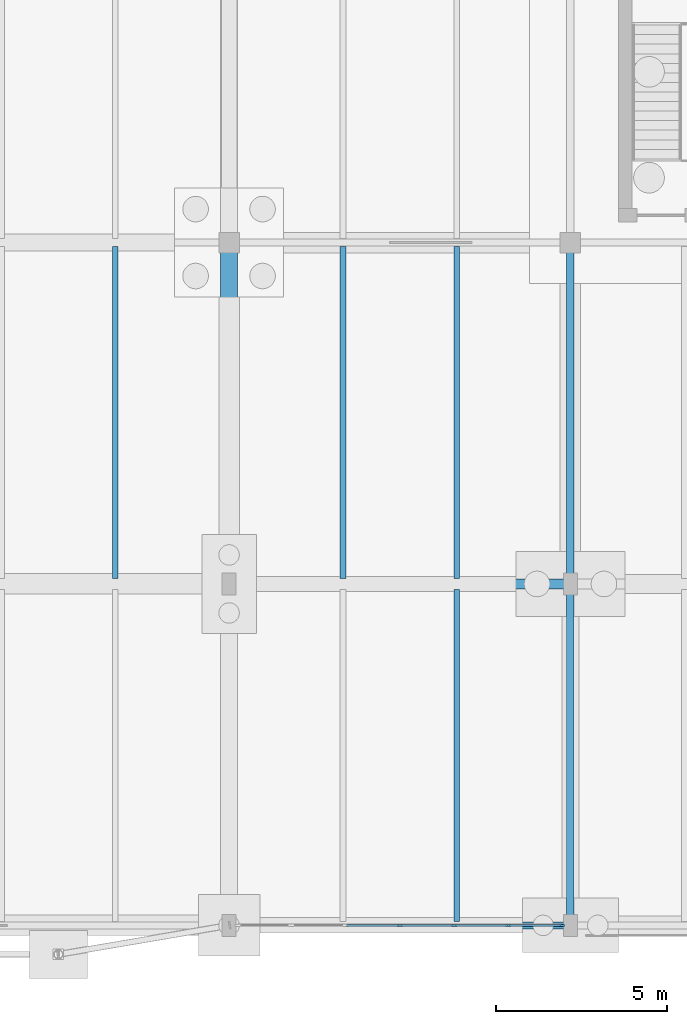
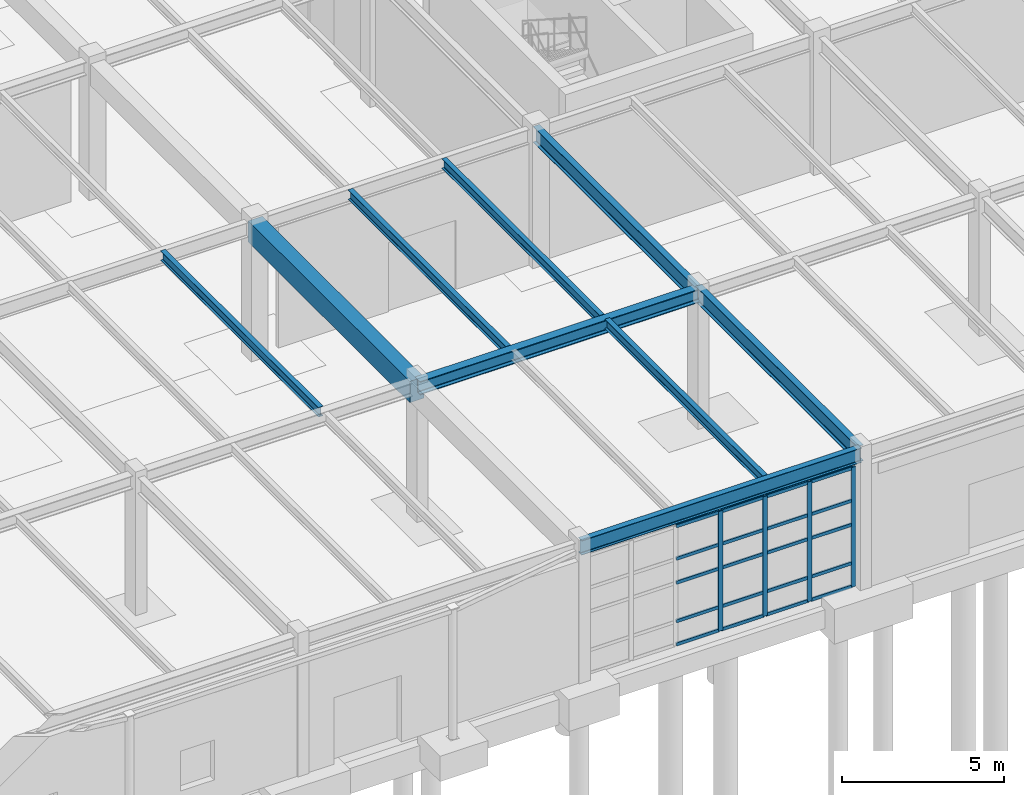
# One storey, part 64 of 145: 24 members, 9 beams, 1 element without a shape of its own.
"""IFC4 building model written with IfcOpenShell, lengths in metres."""

from ifc_helpers import new_model, si_unit, direction, frame, origin, origin_2d, place, context, subcontext, project, spatial, rectangle, i_section, extrude, material, layer, layer_set, material_profile, profile_set, type_object, element, aggregate, save


model = new_model("IFC4")

# Units and contexts
model_context = context("Model", 3, precision=1e-05, world=origin(), true_north=direction((0.0, 1.0)))
body_context = subcontext(model_context, "Body", "Model", "MODEL_VIEW")
ifc_project = project(units=[si_unit("LENGTHUNIT", "METRE"), si_unit("AREAUNIT", "SQUARE_METRE"), si_unit("VOLUMEUNIT", "CUBIC_METRE"), si_unit("PLANEANGLEUNIT", "RADIAN"), si_unit("MASSUNIT", "GRAM", prefix="KILO"), si_unit("THERMODYNAMICTEMPERATUREUNIT", "KELVIN"), si_unit("POWERUNIT", "WATT")], contexts=[model_context])

# Site, building, storey
site_placement = place(None, origin())
site = spatial("IfcSite", under=ifc_project, at=site_placement, CompositionType="ELEMENT")
building_placement = place(site_placement, origin())
building = spatial("IfcBuilding", under=site, at=building_placement, Name="Korenveer Ferry Terminal", CompositionType="ELEMENT")
storey_placement = place(building_placement, origin())
storey = spatial("IfcBuildingStorey", under=building, at=storey_placement, Name="L00", CompositionType="ELEMENT", Elevation=0.0)

# Curtain wall, members
ifc_material_1 = material(Name="Unitised bronze-and-glass curtain wall", Category="glass")
ifc_layer = layer(ifc_material_1, 0.159912109375)
ifc_layer_set = layer_set([ifc_layer], Name="Unitised bronze-and-glass curtain wall")
curtain_wall_type = type_object("IfcCurtainWallType", Name="ENV-CW-01", PredefinedType="USERDEFINED", material=ifc_layer_set)
curtain_wall_placement = place(storey_placement, frame((146.22998046875, 0.0, 0.0)))
curtain_wall = element("IfcCurtainWall", 1, at=curtain_wall_placement, inside=storey, type_object=curtain_wall_type, Name="Lancet curtain wall CWX-L00-X146-156-Y0-0", ObjectType="UNITISED CURTAIN WALL", PredefinedType="USERDEFINED")
ifc_material_2 = material(Name="Anodised bronze aluminium", Category="aluminium")
ifc_material_profile_1 = material_profile(ifc_material_2, rectangle(XDim=0.06005859375, YDim=0.159912109375, at=origin_2d()), Name="ALU 60x160")
ifc_profile_set_1 = profile_set([ifc_material_profile_1], Name="Anodised bronze aluminium")
member_type_1 = type_object("IfcMemberType", Name="ENV-CWM-60X160", PredefinedType="MULLION", material=ifc_profile_set_1)
member_1_placement = place(storey_placement, frame((151.0, 0.0, 0.0), z_axis=(0.0, 0.0, 1.0), x_axis=(0.0, 1.0, 0.0)))
member_1 = element("IfcMember", 2, at=member_1_placement, type_object=member_type_1, Name="CW-01 mullion 4", PredefinedType="MULLION", context=body_context, shape_type="SweptSolid", body=[
    extrude(rectangle(XDim=0.06005859375, YDim=0.159912109375, at=origin_2d()), origin(), (0.0, 0.0, 1.0), 4.5),
])
member_2_placement = place(storey_placement, frame((152.590087890625, 0.0, 0.0), z_axis=(0.0, 0.0, 1.0), x_axis=(0.0, 1.0, 0.0)))
member_2 = element("IfcMember", 3, at=member_2_placement, type_object=member_type_1, Name="CW-01 mullion 5", PredefinedType="MULLION", context=body_context, shape_type="SweptSolid", body=[
    extrude(rectangle(XDim=0.06005859375, YDim=0.159912109375, at=origin_2d()), origin(), (0.0, 0.0, 1.0), 4.5),
])
member_3_placement = place(storey_placement, frame((154.179931640625, 0.0, 0.0), z_axis=(0.0, 0.0, 1.0), x_axis=(0.0, 1.0, 0.0)))
member_3 = element("IfcMember", 4, at=member_3_placement, type_object=member_type_1, Name="CW-01 mullion 6", PredefinedType="MULLION", context=body_context, shape_type="SweptSolid", body=[
    extrude(rectangle(XDim=0.06005859375, YDim=0.159912109375, at=origin_2d()), origin(), (0.0, 0.0, 1.0), 4.5),
])
member_4_placement = place(storey_placement, frame((155.739990234375, 0.0, 0.0), z_axis=(0.0, 0.0, 1.0), x_axis=(0.0, 1.0, 0.0)))
member_4 = element("IfcMember", 5, at=member_4_placement, type_object=member_type_1, Name="CW-01 mullion 7", PredefinedType="MULLION", context=body_context, shape_type="SweptSolid", body=[
    extrude(rectangle(XDim=0.06005859375, YDim=0.159912109375, at=origin_2d()), origin(), (0.0, 0.0, 1.0), 4.5),
])
ifc_material_profile_2 = material_profile(ifc_material_2, rectangle(XDim=0.06005859375, YDim=0.1201171875, at=origin_2d()), Name="ALU 60x120")
ifc_profile_set_2 = profile_set([ifc_material_profile_2], Name="Anodised bronze aluminium")
member_type_2 = type_object("IfcMemberType", Name="ENV-CWT-60X120", PredefinedType="USERDEFINED", material=ifc_profile_set_2)
member_5_placement = place(storey_placement, frame((149.43994140625, 0.0, 0.030029296875), z_axis=(1.0, 0.0, 0.0), x_axis=(0.0, 1.0, 0.0)))
member_5 = element("IfcMember", 6, at=member_5_placement, type_object=member_type_2, Name="CW-01 transom 3.1", ObjectType="TRANSOM", PredefinedType="USERDEFINED", context=body_context, shape_type="SweptSolid", body=[
    extrude(rectangle(XDim=0.06005859375, YDim=0.1201171875, at=origin_2d()), origin(), (0.0, 0.0, 1.0), 1.530029296875),
])
member_6_placement = place(storey_placement, frame((149.43994140625, 0.0, 0.89990234375), z_axis=(1.0, 0.0, 0.0), x_axis=(0.0, 1.0, 0.0)))
member_6 = element("IfcMember", 7, at=member_6_placement, type_object=member_type_2, Name="CW-01 transom 3.2", ObjectType="TRANSOM", PredefinedType="USERDEFINED", context=body_context, shape_type="SweptSolid", body=[
    extrude(rectangle(XDim=0.06005859375, YDim=0.1201171875, at=origin_2d()), origin(), (0.0, 0.0, 1.0), 1.530029296875),
])
member_7_placement = place(storey_placement, frame((149.43994140625, 0.0, 2.35009765625), z_axis=(1.0, 0.0, 0.0), x_axis=(0.0, 1.0, 0.0)))
member_7 = element("IfcMember", 8, at=member_7_placement, type_object=member_type_2, Name="CW-01 transom 3.3", ObjectType="TRANSOM", PredefinedType="USERDEFINED", context=body_context, shape_type="SweptSolid", body=[
    extrude(rectangle(XDim=0.06005859375, YDim=0.1201171875, at=origin_2d()), origin(), (0.0, 0.0, 1.0), 1.530029296875),
])
member_8_placement = place(storey_placement, frame((149.43994140625, 0.0, 3.25), z_axis=(1.0, 0.0, 0.0), x_axis=(0.0, 1.0, 0.0)))
member_8 = element("IfcMember", 9, at=member_8_placement, type_object=member_type_2, Name="CW-01 transom 3.4", ObjectType="TRANSOM", PredefinedType="USERDEFINED", context=body_context, shape_type="SweptSolid", body=[
    extrude(rectangle(XDim=0.06005859375, YDim=0.1201171875, at=origin_2d()), origin(), (0.0, 0.0, 1.0), 1.530029296875),
])
member_9_placement = place(storey_placement, frame((149.43994140625, 0.0, 4.469970703125), z_axis=(1.0, 0.0, 0.0), x_axis=(0.0, 1.0, 0.0)))
member_9 = element("IfcMember", 10, at=member_9_placement, type_object=member_type_2, Name="CW-01 transom 3.5", ObjectType="TRANSOM", PredefinedType="USERDEFINED", context=body_context, shape_type="SweptSolid", body=[
    extrude(rectangle(XDim=0.06005859375, YDim=0.1201171875, at=origin_2d()), origin(), (0.0, 0.0, 1.0), 1.530029296875),
])
member_10_placement = place(storey_placement, frame((151.030029296875, 0.0, 0.030029296875), z_axis=(1.0, 0.0, 0.0), x_axis=(0.0, 1.0, 0.0)))
member_10 = element("IfcMember", 11, at=member_10_placement, type_object=member_type_2, Name="CW-01 transom 4.1", ObjectType="TRANSOM", PredefinedType="USERDEFINED", context=body_context, shape_type="SweptSolid", body=[
    extrude(rectangle(XDim=0.06005859375, YDim=0.1201171875, at=origin_2d()), origin(), (0.0, 0.0, 1.0), 1.530029296875),
])
member_11_placement = place(storey_placement, frame((151.030029296875, 0.0, 0.89990234375), z_axis=(1.0, 0.0, 0.0), x_axis=(0.0, 1.0, 0.0)))
member_11 = element("IfcMember", 12, at=member_11_placement, type_object=member_type_2, Name="CW-01 transom 4.2", ObjectType="TRANSOM", PredefinedType="USERDEFINED", context=body_context, shape_type="SweptSolid", body=[
    extrude(rectangle(XDim=0.06005859375, YDim=0.1201171875, at=origin_2d()), origin(), (0.0, 0.0, 1.0), 1.530029296875),
])
member_12_placement = place(storey_placement, frame((151.030029296875, 0.0, 2.35009765625), z_axis=(1.0, 0.0, 0.0), x_axis=(0.0, 1.0, 0.0)))
member_12 = element("IfcMember", 13, at=member_12_placement, type_object=member_type_2, Name="CW-01 transom 4.3", ObjectType="TRANSOM", PredefinedType="USERDEFINED", context=body_context, shape_type="SweptSolid", body=[
    extrude(rectangle(XDim=0.06005859375, YDim=0.1201171875, at=origin_2d()), origin(), (0.0, 0.0, 1.0), 1.530029296875),
])
member_13_placement = place(storey_placement, frame((151.030029296875, 0.0, 3.25), z_axis=(1.0, 0.0, 0.0), x_axis=(0.0, 1.0, 0.0)))
member_13 = element("IfcMember", 14, at=member_13_placement, type_object=member_type_2, Name="CW-01 transom 4.4", ObjectType="TRANSOM", PredefinedType="USERDEFINED", context=body_context, shape_type="SweptSolid", body=[
    extrude(rectangle(XDim=0.06005859375, YDim=0.1201171875, at=origin_2d()), origin(), (0.0, 0.0, 1.0), 1.530029296875),
])
member_14_placement = place(storey_placement, frame((151.030029296875, 0.0, 4.469970703125), z_axis=(1.0, 0.0, 0.0), x_axis=(0.0, 1.0, 0.0)))
member_14 = element("IfcMember", 15, at=member_14_placement, type_object=member_type_2, Name="CW-01 transom 4.5", ObjectType="TRANSOM", PredefinedType="USERDEFINED", context=body_context, shape_type="SweptSolid", body=[
    extrude(rectangle(XDim=0.06005859375, YDim=0.1201171875, at=origin_2d()), origin(), (0.0, 0.0, 1.0), 1.530029296875),
])
member_15_placement = place(storey_placement, frame((152.6201171875, 0.0, 0.030029296875), z_axis=(1.0, 0.0, 0.0), x_axis=(0.0, 1.0, 0.0)))
member_15 = element("IfcMember", 16, at=member_15_placement, type_object=member_type_2, Name="CW-01 transom 5.1", ObjectType="TRANSOM", PredefinedType="USERDEFINED", context=body_context, shape_type="SweptSolid", body=[
    extrude(rectangle(XDim=0.06005859375, YDim=0.1201171875, at=origin_2d()), origin(), (0.0, 0.0, 1.0), 1.52978515625),
])
member_16_placement = place(storey_placement, frame((152.6201171875, 0.0, 0.89990234375), z_axis=(1.0, 0.0, 0.0), x_axis=(0.0, 1.0, 0.0)))
member_16 = element("IfcMember", 17, at=member_16_placement, type_object=member_type_2, Name="CW-01 transom 5.2", ObjectType="TRANSOM", PredefinedType="USERDEFINED", context=body_context, shape_type="SweptSolid", body=[
    extrude(rectangle(XDim=0.06005859375, YDim=0.1201171875, at=origin_2d()), origin(), (0.0, 0.0, 1.0), 1.52978515625),
])
member_17_placement = place(storey_placement, frame((152.6201171875, 0.0, 2.35009765625), z_axis=(1.0, 0.0, 0.0), x_axis=(0.0, 1.0, 0.0)))
member_17 = element("IfcMember", 18, at=member_17_placement, type_object=member_type_2, Name="CW-01 transom 5.3", ObjectType="TRANSOM", PredefinedType="USERDEFINED", context=body_context, shape_type="SweptSolid", body=[
    extrude(rectangle(XDim=0.06005859375, YDim=0.1201171875, at=origin_2d()), origin(), (0.0, 0.0, 1.0), 1.52978515625),
])
member_18_placement = place(storey_placement, frame((152.6201171875, 0.0, 3.25), z_axis=(1.0, 0.0, 0.0), x_axis=(0.0, 1.0, 0.0)))
member_18 = element("IfcMember", 19, at=member_18_placement, type_object=member_type_2, Name="CW-01 transom 5.4", ObjectType="TRANSOM", PredefinedType="USERDEFINED", context=body_context, shape_type="SweptSolid", body=[
    extrude(rectangle(XDim=0.06005859375, YDim=0.1201171875, at=origin_2d()), origin(), (0.0, 0.0, 1.0), 1.52978515625),
])
member_19_placement = place(storey_placement, frame((152.6201171875, 0.0, 4.469970703125), z_axis=(1.0, 0.0, 0.0), x_axis=(0.0, 1.0, 0.0)))
member_19 = element("IfcMember", 20, at=member_19_placement, type_object=member_type_2, Name="CW-01 transom 5.5", ObjectType="TRANSOM", PredefinedType="USERDEFINED", context=body_context, shape_type="SweptSolid", body=[
    extrude(rectangle(XDim=0.06005859375, YDim=0.1201171875, at=origin_2d()), origin(), (0.0, 0.0, 1.0), 1.52978515625),
])
member_20_placement = place(storey_placement, frame((154.2099609375, 0.0, 0.030029296875), z_axis=(1.0, 0.0, 0.0), x_axis=(0.0, 1.0, 0.0)))
member_20 = element("IfcMember", 21, at=member_20_placement, type_object=member_type_2, Name="CW-01 transom 6.1", ObjectType="TRANSOM", PredefinedType="USERDEFINED", context=body_context, shape_type="SweptSolid", body=[
    extrude(rectangle(XDim=0.06005859375, YDim=0.1201171875, at=origin_2d()), origin(), (0.0, 0.0, 1.0), 1.5),
])
member_21_placement = place(storey_placement, frame((154.2099609375, 0.0, 0.89990234375), z_axis=(1.0, 0.0, 0.0), x_axis=(0.0, 1.0, 0.0)))
member_21 = element("IfcMember", 22, at=member_21_placement, type_object=member_type_2, Name="CW-01 transom 6.2", ObjectType="TRANSOM", PredefinedType="USERDEFINED", context=body_context, shape_type="SweptSolid", body=[
    extrude(rectangle(XDim=0.06005859375, YDim=0.1201171875, at=origin_2d()), origin(), (0.0, 0.0, 1.0), 1.5),
])
member_22_placement = place(storey_placement, frame((154.2099609375, 0.0, 2.35009765625), z_axis=(1.0, 0.0, 0.0), x_axis=(0.0, 1.0, 0.0)))
member_22 = element("IfcMember", 23, at=member_22_placement, type_object=member_type_2, Name="CW-01 transom 6.3", ObjectType="TRANSOM", PredefinedType="USERDEFINED", context=body_context, shape_type="SweptSolid", body=[
    extrude(rectangle(XDim=0.06005859375, YDim=0.1201171875, at=origin_2d()), origin(), (0.0, 0.0, 1.0), 1.5),
])
member_23_placement = place(storey_placement, frame((154.2099609375, 0.0, 3.25), z_axis=(1.0, 0.0, 0.0), x_axis=(0.0, 1.0, 0.0)))
member_23 = element("IfcMember", 24, at=member_23_placement, type_object=member_type_2, Name="CW-01 transom 6.4", ObjectType="TRANSOM", PredefinedType="USERDEFINED", context=body_context, shape_type="SweptSolid", body=[
    extrude(rectangle(XDim=0.06005859375, YDim=0.1201171875, at=origin_2d()), origin(), (0.0, 0.0, 1.0), 1.5),
])
member_24_placement = place(storey_placement, frame((154.2099609375, 0.0, 4.469970703125), z_axis=(1.0, 0.0, 0.0), x_axis=(0.0, 1.0, 0.0)))
member_24 = element("IfcMember", 25, at=member_24_placement, type_object=member_type_2, Name="CW-01 transom 6.5", ObjectType="TRANSOM", PredefinedType="USERDEFINED", context=body_context, shape_type="SweptSolid", body=[
    extrude(rectangle(XDim=0.06005859375, YDim=0.1201171875, at=origin_2d()), origin(), (0.0, 0.0, 1.0), 1.5),
])
aggregate(curtain_wall, [member_1, member_2, member_3, member_4, member_5, member_6, member_7, member_8, member_9, member_10, member_11, member_12, member_13, member_14, member_15, member_16, member_17, member_18, member_19, member_20, member_21, member_22, member_23, member_24])

# Beams
ifc_material_3 = material(Name="Steel S355", Category="steel")
ifc_material_profile_3 = material_profile(ifc_material_3, i_section(OverallWidth=0.300048828125, OverallDepth=0.5, WebThickness=0.014404296875, FlangeThickness=0.028076171875, FilletRadius=0.027099609375, at=origin_2d()), Name="HEB 500")
ifc_profile_set_3 = profile_set([ifc_material_profile_3], Name="Steel S355")
beam_type_1 = type_object("IfcBeamType", Name="STR-BM-HEB500", PredefinedType="BEAM", material=ifc_profile_set_3)
beam_1_placement = place(storey_placement, frame((146.02001953125, 10.0, 4.8701171875), z_axis=(1.0, 0.0, 0.0), x_axis=(0.0, 1.0, 0.0)))
element("IfcBeam", 26, at=beam_1_placement, inside=storey, type_object=beam_type_1, Name="Primary X girder BMX-L01-X146-156-Y10", PredefinedType="BEAM", context=body_context, shape_type="SweptSolid", body=[
    extrude(i_section(OverallWidth=0.300048828125, OverallDepth=0.5, WebThickness=0.014404296875, FlangeThickness=0.028076171875, FilletRadius=0.027099609375, at=origin_2d()), origin(), (0.0, 0.0, 1.0), 9.9599609375),
])
ifc_material_profile_4 = material_profile(ifc_material_3, i_section(OverallWidth=0.2099609375, OverallDepth=0.550048828125, WebThickness=0.010986328125, FlangeThickness=0.01708984375, FilletRadius=0.02392578125, at=origin_2d()), Name="IPE 550")
ifc_profile_set_4 = profile_set([ifc_material_profile_4], Name="Steel S355")
beam_type_2 = type_object("IfcBeamType", Name="STR-BM-IPE550", PredefinedType="BEAM", material=ifc_profile_set_4)
beam_2_placement = place(storey_placement, frame((146.02001953125, 0.0, 4.905029296875), z_axis=(1.0, 0.0, 0.0), x_axis=(0.0, 1.0, 0.0)))
element("IfcBeam", 27, at=beam_2_placement, inside=storey, type_object=beam_type_2, Name="Primary X girder BMX-L01-X146-156-Y0", PredefinedType="BEAM", context=body_context, shape_type="SweptSolid", body=[
    extrude(i_section(OverallWidth=0.2099609375, OverallDepth=0.550048828125, WebThickness=0.010986328125, FlangeThickness=0.01708984375, FilletRadius=0.02392578125, at=origin_2d()), origin(), (0.0, 0.0, 1.0), 9.9599609375),
])
ifc_material_profile_5 = material_profile(ifc_material_3, i_section(OverallWidth=0.219970703125, OverallDepth=0.60009765625, WebThickness=0.011962890625, FlangeThickness=0.01904296875, FilletRadius=0.02392578125, at=origin_2d()), Name="IPE 600")
ifc_profile_set_5 = profile_set([ifc_material_profile_5], Name="Steel S355")
beam_type_3 = type_object("IfcBeamType", Name="STR-BM-IPE600", PredefinedType="BEAM", material=ifc_profile_set_5)
for number, where, z_axis, x_axis, name in (
    (28, (156.0, 0.02001953125, 4.8798828125), (0.0, 1.0, 0.0), (-1.0, 0.0, 0.0), "Primary Y girder BMY-L01-X156-Y0-10"),
    (29, (156.0, 10.02001953125, 4.820068359375), (0.0, 1.0, 0.0), (-1.0, 0.0, 0.0), "Primary Y girder BMY-L01-X156-Y10-20"),
):
    element("IfcBeam", number, at=place(storey_placement, frame(where, z_axis=z_axis, x_axis=x_axis)), inside=storey, type_object=beam_type_3, Name=name, PredefinedType="BEAM", context=body_context, shape_type="SweptSolid", body=[
        extrude(i_section(OverallWidth=0.219970703125, OverallDepth=0.60009765625, WebThickness=0.011962890625, FlangeThickness=0.01904296875, FilletRadius=0.02392578125, at=origin_2d()), origin(), (0.0, 0.0, 1.0), 9.9599609375),
    ])
ifc_material_4 = material(Name="Concrete C40/50", Category="concrete")
ifc_material_profile_6 = material_profile(ifc_material_4, rectangle(XDim=0.5, YDim=0.800048828125, at=origin_2d()), Name="RC 500x800")
ifc_profile_set_6 = profile_set([ifc_material_profile_6], Name="Concrete C40/50")
beam_type_4 = type_object("IfcBeamType", Name="STR-BM-RC500X800", PredefinedType="BEAM", material=ifc_profile_set_6)
beam_3_placement = place(storey_placement, frame((146.0, 10.02001953125, 4.719970703125), z_axis=(0.0, 1.0, 0.0), x_axis=(-1.0, 0.0, 0.0)))
element("IfcBeam", 30, at=beam_3_placement, inside=storey, type_object=beam_type_4, Name="Primary Y girder BMY-L01-X146-Y10-20", PredefinedType="BEAM", context=body_context, shape_type="SweptSolid", body=[
    extrude(rectangle(XDim=0.5, YDim=0.800048828125, at=origin_2d()), origin(), (0.0, 0.0, 1.0), 9.9599609375),
])
ifc_material_profile_7 = material_profile(ifc_material_3, i_section(OverallWidth=0.169921875, OverallDepth=0.360107421875, WebThickness=0.008056640625, FlangeThickness=0.0126953125, FilletRadius=0.01806640625, at=origin_2d()), Name="IPE 360")
ifc_profile_set_7 = profile_set([ifc_material_profile_7], Name="Steel S355")
beam_type_5 = type_object("IfcBeamType", Name="STR-JST-IPE360", PredefinedType="JOIST", material=ifc_profile_set_7)
for number, where, z_axis, x_axis, name in (
    (31, (142.666748046875, 10.159912109375, 4.97998046875), (0.0, 1.0, 0.0), (-1.0, 0.0, 0.0), "Secondary composite joist JST-L01-X1427-Y10-20"),
    (32, (152.666748046875, 0.114990234375, 5.0), (0.0, 1.0, 0.0), (-1.0, 0.0, 0.0), "Secondary composite joist JST-L01-X1527-Y0-10"),
    (33, (149.333251953125, 10.159912109375, 4.93994140625), (0.0, 1.0, 0.0), (-1.0, 0.0, 0.0), "Secondary composite joist JST-L01-X1493-Y10-20"),
    (34, (152.666748046875, 10.159912109375, 4.93994140625), (0.0, 1.0, 0.0), (-1.0, 0.0, 0.0), "Secondary composite joist JST-L01-X1527-Y10-20"),
):
    element("IfcBeam", number, at=place(storey_placement, frame(where, z_axis=z_axis, x_axis=x_axis)), inside=storey, type_object=beam_type_5, Name=name, PredefinedType="JOIST", context=body_context, shape_type="SweptSolid", body=[
        extrude(i_section(OverallWidth=0.169921875, OverallDepth=0.360107421875, WebThickness=0.008056640625, FlangeThickness=0.0126953125, FilletRadius=0.01806640625, at=origin_2d()), origin(), (0.0, 0.0, 1.0), 9.72509765625),
    ])

save(model, "model.ifc")
